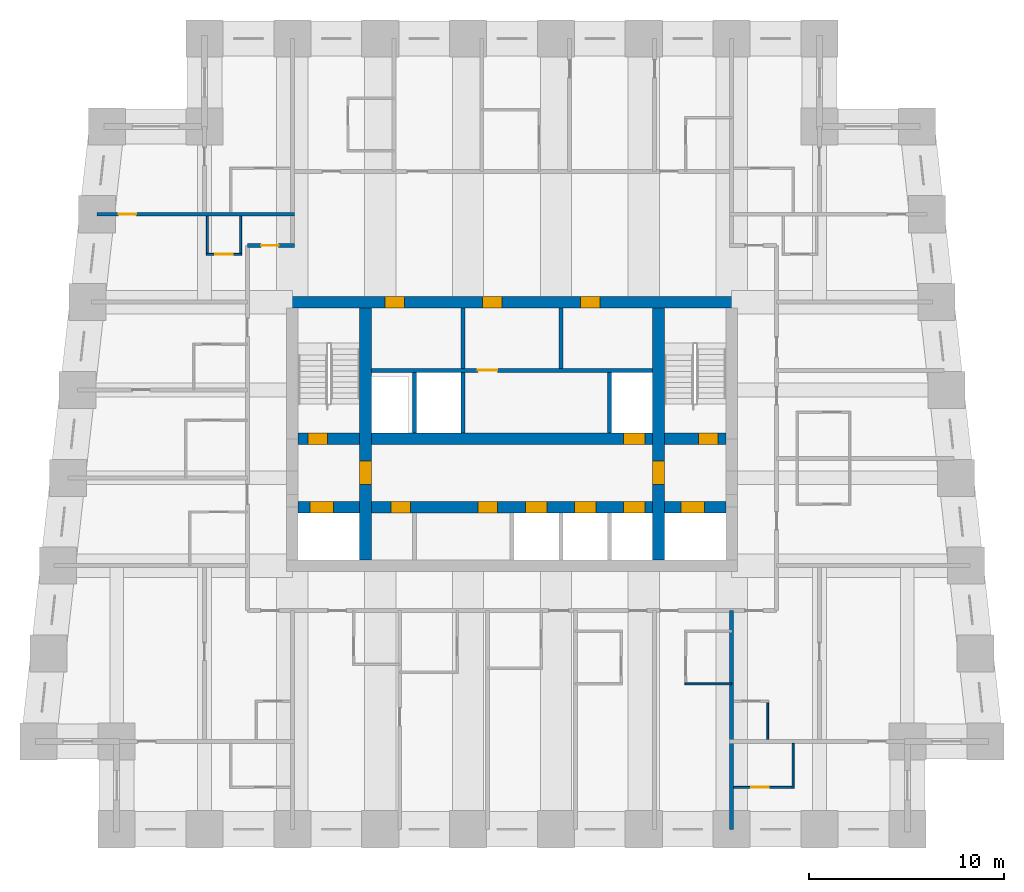
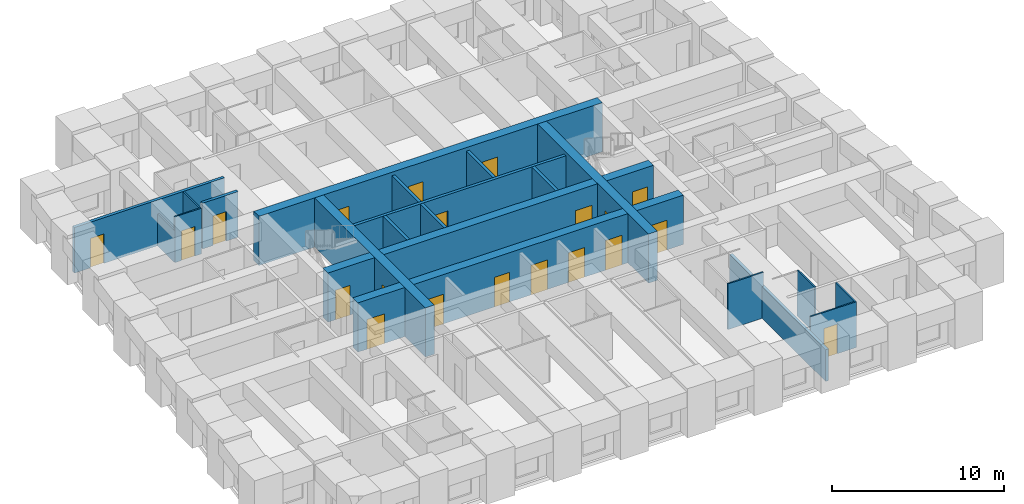
# One storey, part 4 of 8: 21 walls, 20 doors, 20 openings.
"""IFC4 building model written with IfcOpenShell, lengths in metres."""

from ifc_helpers import new_model, si_unit, direction, frame, frame_2d, origin, place, context, subcontext, project, spatial, rectangle, extrude, material, layer, layer_set, type_object, element, fill, save


model = new_model("IFC4")

# Units and contexts
model_context = context("Model", 3, precision=1e-05, world=origin(), true_north=direction((0.0, 1.0)))
body_context = subcontext(model_context, "Body", "Model", "MODEL_VIEW")
ifc_project = project(units=[si_unit("LENGTHUNIT", "METRE"), si_unit("AREAUNIT", "SQUARE_METRE"), si_unit("VOLUMEUNIT", "CUBIC_METRE"), si_unit("PLANEANGLEUNIT", "RADIAN"), si_unit("MASSUNIT", "GRAM", prefix="KILO")], contexts=[model_context])

# Site, building, storey
site_placement = place(None, origin())
site = spatial("IfcSite", under=ifc_project, at=site_placement, CompositionType="ELEMENT")
building_placement = place(site_placement, origin())
building = spatial("IfcBuilding", under=site, at=building_placement, Name="Kilele Tower Hotel", CompositionType="ELEMENT")
storey_placement = place(building_placement, frame((0.0, 0.0, 121.39990234375)))
storey = spatial("IfcBuildingStorey", under=building, at=storey_placement, Name="L31", CompositionType="ELEMENT", Elevation=121.39990234375)

# Walls
ifc_material_1 = material(Name="Moisture-resistant board")
ifc_layer_1 = layer(ifc_material_1, 0.10009765625)
ifc_layer_set_1 = layer_set([ifc_layer_1], Name="Moisture-resistant board")
wall_type_1 = type_object("IfcWallType", Name="Bathroom partition 100", PredefinedType="PLUMBINGWALL", material=ifc_layer_set_1)
wall_1_placement = place(storey_placement, frame((33.60009765625, 7.449951171875, 0.0), z_axis=(0.0, 0.0, 1.0), x_axis=(1.0, 0.0, 0.0)))
element("IfcWall", 1, at=wall_1_placement, inside=storey, type_object=wall_type_1, Name="Bathroom partition 100 L31", PredefinedType="PLUMBINGWALL", context=body_context, shape_type="SweptSolid", body=[
    extrude(rectangle(XDim=2.39990234375, YDim=0.10009765625, at=frame_2d((1.199951171875, 0.0))), origin(), (0.0, 0.0, 1.0), 3.25),
])
wall_2_placement = place(storey_placement, frame((37.85009765625, 4.60009765625, 0.0), z_axis=(0.0, 0.0, 1.0), x_axis=(0.0, 1.0, 0.0)))
element("IfcWall", 2, at=wall_2_placement, inside=storey, type_object=wall_type_1, Name="Bathroom partition 100 L31", PredefinedType="PLUMBINGWALL", context=body_context, shape_type="SweptSolid", body=[
    extrude(rectangle(XDim=2.0, YDim=0.10009765625, at=frame_2d((1.0, 0.0))), origin(), (0.0, 0.0, 1.0), 3.25),
])
wall_3_placement = place(storey_placement, frame((39.14990234375, 4.39990234375, 0.0), z_axis=(0.0, 0.0, 1.0), x_axis=(0.0, -1.0, 0.0)))
element("IfcWall", 3, at=wall_3_placement, inside=storey, type_object=wall_type_1, Name="Bathroom partition 100 L31", PredefinedType="PLUMBINGWALL", context=body_context, shape_type="SweptSolid", body=[
    extrude(rectangle(XDim=2.2998046875, YDim=0.10009765625, at=frame_2d((1.14990234375, 0.0))), origin(), (0.0, 0.0, 1.0), 3.25),
])

# Wall, opening, door
wall_4_placement = place(storey_placement, frame((36.10009765625, 2.14990234375, 0.0), z_axis=(0.0, 0.0, 1.0), x_axis=(1.0, 0.0, 0.0)))
wall_4 = element("IfcWall", 4, at=wall_4_placement, inside=storey, type_object=wall_type_1, Name="Bathroom partition 100 L31", PredefinedType="PLUMBINGWALL", context=body_context, shape_type="SweptSolid", body=[
    extrude(rectangle(XDim=3.099853515625, YDim=0.10009765625, at=frame_2d((1.5498046875, 0.0))), origin(), (0.0, 0.0, 1.0), 3.25),
])
opening_1_placement = place(wall_4_placement, frame((1.7998046875, 0.0, 0.0), z_axis=(0.0, 0.0, 1.0), x_axis=(-1.0, 0.0, 0.0)))
opening_1 = element("IfcOpeningElement", 5, at=opening_1_placement, cuts=wall_4, Name="Opening D2A", PredefinedType="OPENING", context=body_context, shape_type="SweptSolid", body=[
    extrude(rectangle(XDim=0.89990234375, YDim=2.10009765625, at=frame_2d((0.449951171875, 1.050048828125))), frame((0.0, 0.06005859375, 0.0), z_axis=(0.0, -1.0, 0.0), x_axis=(1.0, 0.0, 0.0)), (0.0, 0.0, 1.0), 0.1201171875),
])
ifc_material_2 = material(Name="Timber door leaf in hardwood frame", Category="wood")
door_type_1 = type_object("IfcDoorType", Name="Bathroom door 900", OperationType="SINGLE_SWING_LEFT", PredefinedType="DOOR", material=ifc_material_2)
door_1_placement = place(opening_1_placement, origin())
door_1 = element("IfcDoor", 6, at=door_1_placement, inside=storey, type_object=door_type_1, Name="Bathroom door 3122B", OperationType="SINGLE_SWING_RIGHT", OverallHeight=2.10009765625, OverallWidth=0.89990234375, PredefinedType="DOOR", context=body_context, shape_type="SweptSolid", body=[
    extrude(rectangle(XDim=0.89990234375, YDim=2.10009765625, at=frame_2d((0.449951171875, 1.050048828125))), frame((0.0, 0.02490234375, 0.0), z_axis=(0.0, -1.0, 0.0), x_axis=(1.0, 0.0, 0.0)), (0.0, 0.0, 1.0), 0.050048828125),
])
fill(opening_1, door_1)

# Walls
wall_5_placement = place(storey_placement, frame((9.14990234375, 31.39990234375, 0.0), z_axis=(0.0, 0.0, 1.0), x_axis=(0.0, -1.0, 0.0)))
element("IfcWall", 7, at=wall_5_placement, inside=storey, type_object=wall_type_1, Name="Bathroom partition 100 L31", PredefinedType="PLUMBINGWALL", context=body_context, shape_type="SweptSolid", body=[
    extrude(rectangle(XDim=2.0, YDim=0.10009765625, at=frame_2d((1.0, 0.0))), origin(), (0.0, 0.0, 1.0), 2.25),
])
wall_6_placement = place(storey_placement, frame((10.85009765625, 31.39990234375, 0.0), z_axis=(0.0, 0.0, 1.0), x_axis=(0.0, -1.0, 0.0)))
element("IfcWall", 8, at=wall_6_placement, inside=storey, type_object=wall_type_1, Name="Bathroom partition 100 L31", PredefinedType="PLUMBINGWALL", context=body_context, shape_type="SweptSolid", body=[
    extrude(rectangle(XDim=2.0, YDim=0.10009765625, at=frame_2d((1.0, 0.0))), origin(), (0.0, 0.0, 1.0), 3.25),
])

# Wall, opening, door
wall_7_placement = place(storey_placement, frame((10.89990234375, 29.449951171875, 0.0), z_axis=(0.0, 0.0, 1.0), x_axis=(-1.0, 0.0, 0.0)))
wall_7 = element("IfcWall", 9, at=wall_7_placement, inside=storey, type_object=wall_type_1, Name="Bathroom partition 100 L31", PredefinedType="PLUMBINGWALL", context=body_context, shape_type="SweptSolid", body=[
    extrude(rectangle(XDim=1.7998046875, YDim=0.10009765625, at=frame_2d((0.89990234375, 0.0))), origin(), (0.0, 0.0, 1.0), 3.25),
])
opening_2_placement = place(wall_7_placement, frame((0.449951171875, 0.0, 0.0)))
opening_2 = element("IfcOpeningElement", 10, at=opening_2_placement, cuts=wall_7, Name="Opening D2A", PredefinedType="OPENING", context=body_context, shape_type="SweptSolid", body=[
    extrude(rectangle(XDim=0.89990234375, YDim=2.10009765625, at=frame_2d((0.449951171875, 1.050048828125))), frame((0.0, 0.06005859375, 0.0), z_axis=(0.0, -1.0, 0.0), x_axis=(1.0, 0.0, 0.0)), (0.0, 0.0, 1.0), 0.1201171875),
])
door_2_placement = place(opening_2_placement, origin())
door_2 = element("IfcDoor", 11, at=door_2_placement, inside=storey, type_object=door_type_1, Name="Bathroom door 3126P", OperationType="SINGLE_SWING_LEFT", OverallHeight=2.10009765625, OverallWidth=0.89990234375, PredefinedType="DOOR", context=body_context, shape_type="SweptSolid", body=[
    extrude(rectangle(XDim=0.89990234375, YDim=2.10009765625, at=frame_2d((0.449951171875, 1.050048828125))), frame((0.0, 0.02490234375, 0.0), z_axis=(0.0, -1.0, 0.0), x_axis=(1.0, 0.0, 0.0)), (0.0, 0.0, 1.0), 0.050048828125),
])
fill(opening_2, door_2)

# Wall, openings, doors
ifc_material_3 = material(Name="Concrete C60/75", Category="concrete")
ifc_layer_2 = layer(ifc_material_3, 0.60009765625)
ifc_layer_set_2 = layer_set([ifc_layer_2], Name="Concrete C60/75")
wall_type_2 = type_object("IfcWallType", Name="Core wall 600 C60/75", PredefinedType="SHEAR", material=ifc_layer_set_2)
wall_8_placement = place(storey_placement, frame((36.300048828125, 27.0, 0.0), z_axis=(0.0, 0.0, 1.0), x_axis=(-1.0, 0.0, 0.0)))
wall_8 = element("IfcWall", 12, at=wall_8_placement, inside=storey, type_object=wall_type_2, Name="Core wall N L31", PredefinedType="SHEAR", context=body_context, shape_type="SweptSolid", body=[
    extrude(rectangle(XDim=23.10009765625, YDim=0.60009765625, at=frame_2d((11.550048828125, 0.0))), origin(), (0.0, 0.0, 1.0), 3.5),
])
opening_3_placement = place(wall_8_placement, frame((17.050048828125, 0.0, 0.0)))
opening_3 = element("IfcOpeningElement", 13, at=opening_3_placement, cuts=wall_8, Name="Opening D6", PredefinedType="OPENING", context=body_context, shape_type="SweptSolid", body=[
    extrude(rectangle(XDim=1.0, YDim=2.10009765625, at=frame_2d((0.5, 1.050048828125))), frame((0.0, 0.31005859375, 0.0), z_axis=(0.0, -1.0, 0.0), x_axis=(1.0, 0.0, 0.0)), (0.0, 0.0, 1.0), 0.6201171875),
])
opening_4_placement = place(wall_8_placement, frame((12.050048828125, 0.0, 0.0)))
opening_4 = element("IfcOpeningElement", 14, at=opening_4_placement, cuts=wall_8, Name="Opening D6", PredefinedType="OPENING", context=body_context, shape_type="SweptSolid", body=[
    extrude(rectangle(XDim=1.0, YDim=2.10009765625, at=frame_2d((0.5, 1.050048828125))), frame((0.0, 0.31005859375, 0.0), z_axis=(0.0, -1.0, 0.0), x_axis=(1.0, 0.0, 0.0)), (0.0, 0.0, 1.0), 0.6201171875),
])
opening_5_placement = place(wall_8_placement, frame((7.050048828125, 0.0, 0.0)))
opening_5 = element("IfcOpeningElement", 15, at=opening_5_placement, cuts=wall_8, Name="Opening D6", PredefinedType="OPENING", context=body_context, shape_type="SweptSolid", body=[
    extrude(rectangle(XDim=1.0, YDim=2.10009765625, at=frame_2d((0.5, 1.050048828125))), frame((0.0, 0.31005859375, 0.0), z_axis=(0.0, -1.0, 0.0), x_axis=(1.0, 0.0, 0.0)), (0.0, 0.0, 1.0), 0.6201171875),
])
ifc_material_4 = material(Name="Timber door leaf in hardwood frame", Category="wood")
door_type_2 = type_object("IfcDoorType", Name="Riser door 1000", OperationType="SINGLE_SWING_LEFT", PredefinedType="DOOR", material=ifc_material_4)
door_3_placement = place(opening_3_placement, origin())
door_3 = element("IfcDoor", 16, at=door_3_placement, inside=storey, type_object=door_type_2, Name="Service riser door L31", OperationType="SINGLE_SWING_RIGHT", OverallHeight=2.10009765625, OverallWidth=1.0, PredefinedType="DOOR", context=body_context, shape_type="SweptSolid", body=[
    extrude(rectangle(XDim=1.0, YDim=2.10009765625, at=frame_2d((0.5, 1.050048828125))), frame((0.0, 0.2998046875, 0.0), z_axis=(0.0, -1.0, 0.0), x_axis=(1.0, 0.0, 0.0)), (0.0, 0.0, 1.0), 0.599609375),
])
fill(opening_3, door_3)
door_4_placement = place(opening_4_placement, origin())
door_4 = element("IfcDoor", 17, at=door_4_placement, inside=storey, type_object=door_type_2, Name="Housekeeping store door L31", OperationType="SINGLE_SWING_RIGHT", OverallHeight=2.10009765625, OverallWidth=1.0, PredefinedType="DOOR", context=body_context, shape_type="SweptSolid", body=[
    extrude(rectangle(XDim=1.0, YDim=2.10009765625, at=frame_2d((0.5, 1.050048828125))), frame((0.0, 0.2998046875, 0.0), z_axis=(0.0, -1.0, 0.0), x_axis=(1.0, 0.0, 0.0)), (0.0, 0.0, 1.0), 0.599609375),
])
fill(opening_4, door_4)
door_5_placement = place(opening_5_placement, origin())
door_5 = element("IfcDoor", 18, at=door_5_placement, inside=storey, type_object=door_type_2, Name="Electrical riser door L31", OperationType="SINGLE_SWING_RIGHT", OverallHeight=2.10009765625, OverallWidth=1.0, PredefinedType="DOOR", context=body_context, shape_type="SweptSolid", body=[
    extrude(rectangle(XDim=1.0, YDim=2.10009765625, at=frame_2d((0.5, 1.050048828125))), frame((0.0, 0.2998046875, 0.0), z_axis=(0.0, -1.0, 0.0), x_axis=(1.0, 0.0, 0.0)), (0.0, 0.0, 1.0), 0.599609375),
])
fill(opening_5, door_5)

# Wall, opening, door
wall_9_placement = place(storey_placement, frame((17.25, 13.800048828125, 0.0), z_axis=(0.0, 0.0, 1.0), x_axis=(0.0, 1.0, 0.0)))
wall_9 = element("IfcWall", 19, at=wall_9_placement, inside=storey, type_object=wall_type_2, Name="Core wall IW L31", PredefinedType="SHEAR", context=body_context, shape_type="SweptSolid", body=[
    extrude(rectangle(XDim=12.89990234375, YDim=0.60009765625, at=frame_2d((6.449951171875, 0.0))), origin(), (0.0, 0.0, 1.0), 3.5),
])
opening_6_placement = place(wall_9_placement, frame((3.85009765625, 0.0, 0.0)))
opening_6 = element("IfcOpeningElement", 20, at=opening_6_placement, cuts=wall_9, Name="Opening D4", PredefinedType="OPENING", context=body_context, shape_type="SweptSolid", body=[
    extrude(rectangle(XDim=1.199951171875, YDim=2.10009765625, at=frame_2d((0.60009765625, 1.050048828125))), frame((0.0, 0.31005859375, 0.0), z_axis=(0.0, -1.0, 0.0), x_axis=(1.0, 0.0, 0.0)), (0.0, 0.0, 1.0), 0.6201171875),
])
ifc_material_5 = material(Name="Timber door leaf in hardwood frame", Category="wood")
door_type_3 = type_object("IfcDoorType", Name="Firefighting lobby door 1200", OperationType="SINGLE_SWING_LEFT", PredefinedType="DOOR", material=ifc_material_5)
door_6_placement = place(opening_6_placement, origin())
door_6 = element("IfcDoor", 21, at=door_6_placement, inside=storey, type_object=door_type_3, Name="Lobby door L31", OperationType="SINGLE_SWING_LEFT", OverallHeight=2.10009765625, OverallWidth=1.199951171875, PredefinedType="DOOR", context=body_context, shape_type="SweptSolid", body=[
    extrude(rectangle(XDim=1.199951171875, YDim=2.10009765625, at=frame_2d((0.60009765625, 1.050048828125))), frame((0.0, 0.2998046875, 0.0), z_axis=(0.0, -1.0, 0.0), x_axis=(1.0, 0.0, 0.0)), (0.0, 0.0, 1.0), 0.599609375),
])
fill(opening_6, door_6)

wall_10_placement = place(storey_placement, frame((32.25, 13.800048828125, 0.0), z_axis=(0.0, 0.0, 1.0), x_axis=(0.0, 1.0, 0.0)))
wall_10 = element("IfcWall", 22, at=wall_10_placement, inside=storey, type_object=wall_type_2, Name="Core wall IE L31", PredefinedType="SHEAR", context=body_context, shape_type="SweptSolid", body=[
    extrude(rectangle(XDim=12.89990234375, YDim=0.60009765625, at=frame_2d((6.449951171875, 0.0))), origin(), (0.0, 0.0, 1.0), 3.5),
])
opening_7_placement = place(wall_10_placement, frame((5.050048828125, 0.0, 0.0), z_axis=(0.0, 0.0, 1.0), x_axis=(-1.0, 0.0, 0.0)))
opening_7 = element("IfcOpeningElement", 23, at=opening_7_placement, cuts=wall_10, Name="Opening D4", PredefinedType="OPENING", context=body_context, shape_type="SweptSolid", body=[
    extrude(rectangle(XDim=1.199951171875, YDim=2.10009765625, at=frame_2d((0.60009765625, 1.050048828125))), frame((0.0, 0.31005859375, 0.0), z_axis=(0.0, -1.0, 0.0), x_axis=(1.0, 0.0, 0.0)), (0.0, 0.0, 1.0), 0.6201171875),
])
door_7_placement = place(opening_7_placement, origin())
door_7 = element("IfcDoor", 24, at=door_7_placement, inside=storey, type_object=door_type_3, Name="Lobby door L31", OperationType="SINGLE_SWING_RIGHT", OverallHeight=2.10009765625, OverallWidth=1.199951171875, PredefinedType="DOOR", context=body_context, shape_type="SweptSolid", body=[
    extrude(rectangle(XDim=1.199951171875, YDim=2.10009765625, at=frame_2d((0.60009765625, 1.050048828125))), frame((0.0, 0.2998046875, 0.0), z_axis=(0.0, -1.0, 0.0), x_axis=(1.0, 0.0, 0.0)), (0.0, 0.0, 1.0), 0.599609375),
])
fill(opening_7, door_7)

# Wall, openings, doors
wall_11_placement = place(storey_placement, frame((13.800048828125, 16.5, 0.0), z_axis=(0.0, 0.0, 1.0), x_axis=(1.0, 0.0, 0.0)))
wall_11 = element("IfcWall", 25, at=wall_11_placement, inside=storey, type_object=wall_type_2, Name="Core wall LS L31", PredefinedType="SHEAR", context=body_context, shape_type="SweptSolid", body=[
    extrude(rectangle(XDim=21.89990234375, YDim=0.60009765625, at=frame_2d((10.949951171875, 0.0))), origin(), (0.0, 0.0, 1.0), 3.5),
])
opening_8_placement = place(wall_11_placement, frame((11.64990234375, 0.0, 0.0)))
opening_8 = element("IfcOpeningElement", 26, at=opening_8_placement, cuts=wall_11, Name="Opening LD1", PredefinedType="OPENING", context=body_context, shape_type="SweptSolid", body=[
    extrude(rectangle(XDim=1.10009765625, YDim=2.10009765625, at=frame_2d((0.550048828125, 1.050048828125))), frame((0.0, 0.31005859375, 0.0), z_axis=(0.0, -1.0, 0.0), x_axis=(1.0, 0.0, 0.0)), (0.0, 0.0, 1.0), 0.6201171875),
])
opening_9_placement = place(wall_11_placement, frame((14.14990234375, 0.0, 0.0)))
opening_9 = element("IfcOpeningElement", 27, at=opening_9_placement, cuts=wall_11, Name="Opening LD1", PredefinedType="OPENING", context=body_context, shape_type="SweptSolid", body=[
    extrude(rectangle(XDim=1.10009765625, YDim=2.10009765625, at=frame_2d((0.550048828125, 1.050048828125))), frame((0.0, 0.31005859375, 0.0), z_axis=(0.0, -1.0, 0.0), x_axis=(1.0, 0.0, 0.0)), (0.0, 0.0, 1.0), 0.6201171875),
])
opening_10_placement = place(wall_11_placement, frame((16.64990234375, 0.0, 0.0)))
opening_10 = element("IfcOpeningElement", 28, at=opening_10_placement, cuts=wall_11, Name="Opening LD1", PredefinedType="OPENING", context=body_context, shape_type="SweptSolid", body=[
    extrude(rectangle(XDim=1.10009765625, YDim=2.10009765625, at=frame_2d((0.550048828125, 1.050048828125))), frame((0.0, 0.31005859375, 0.0), z_axis=(0.0, -1.0, 0.0), x_axis=(1.0, 0.0, 0.0)), (0.0, 0.0, 1.0), 0.6201171875),
])
opening_11_placement = place(wall_11_placement, frame((5.75, 0.0, 0.0), z_axis=(0.0, 0.0, 1.0), x_axis=(-1.0, 0.0, 0.0)))
opening_11 = element("IfcOpeningElement", 29, at=opening_11_placement, cuts=wall_11, Name="Opening D11", PredefinedType="OPENING", context=body_context, shape_type="SweptSolid", body=[
    extrude(rectangle(XDim=1.0, YDim=2.10009765625, at=frame_2d((0.5, 1.050048828125))), frame((0.0, 0.31005859375, 0.0), z_axis=(0.0, -1.0, 0.0), x_axis=(1.0, 0.0, 0.0)), (0.0, 0.0, 1.0), 0.6201171875),
])
opening_12_placement = place(wall_11_placement, frame((10.199951171875, 0.0, 0.0), z_axis=(0.0, 0.0, 1.0), x_axis=(-1.0, 0.0, 0.0)))
opening_12 = element("IfcOpeningElement", 30, at=opening_12_placement, cuts=wall_11, Name="Opening D11", PredefinedType="OPENING", context=body_context, shape_type="SweptSolid", body=[
    extrude(rectangle(XDim=1.0, YDim=2.10009765625, at=frame_2d((0.5, 1.050048828125))), frame((0.0, 0.31005859375, 0.0), z_axis=(0.0, -1.0, 0.0), x_axis=(1.0, 0.0, 0.0)), (0.0, 0.0, 1.0), 0.6201171875),
])
opening_13_placement = place(wall_11_placement, frame((0.60009765625, 0.0, 0.0)))
opening_13 = element("IfcOpeningElement", 31, at=opening_13_placement, cuts=wall_11, Name="Opening LD2", PredefinedType="OPENING", context=body_context, shape_type="SweptSolid", body=[
    extrude(rectangle(XDim=1.199951171875, YDim=2.10009765625, at=frame_2d((0.60009765625, 1.050048828125))), frame((0.0, 0.31005859375, 0.0), z_axis=(0.0, -1.0, 0.0), x_axis=(1.0, 0.0, 0.0)), (0.0, 0.0, 1.0), 0.6201171875),
])
opening_14_placement = place(wall_11_placement, frame((19.60009765625, 0.0, 0.0)))
opening_14 = element("IfcOpeningElement", 32, at=opening_14_placement, cuts=wall_11, Name="Opening LD2", PredefinedType="OPENING", context=body_context, shape_type="SweptSolid", body=[
    extrude(rectangle(XDim=1.199951171875, YDim=2.10009765625, at=frame_2d((0.60009765625, 1.050048828125))), frame((0.0, 0.31005859375, 0.0), z_axis=(0.0, -1.0, 0.0), x_axis=(1.0, 0.0, 0.0)), (0.0, 0.0, 1.0), 0.6201171875),
])
ifc_material_6 = material(Name="Timber door leaf in hardwood frame", Category="wood")
door_type_4 = type_object("IfcDoorType", Name="Core store door 1000", OperationType="SINGLE_SWING_LEFT", PredefinedType="DOOR", material=ifc_material_6)
door_8_placement = place(opening_11_placement, origin())
door_8 = element("IfcDoor", 33, at=door_8_placement, inside=storey, type_object=door_type_4, Name="Core room door L1 L31", OperationType="SINGLE_SWING_LEFT", OverallHeight=2.10009765625, OverallWidth=1.0, PredefinedType="DOOR", context=body_context, shape_type="SweptSolid", body=[
    extrude(rectangle(XDim=1.0, YDim=2.10009765625, at=frame_2d((0.5, 1.050048828125))), frame((0.0, 0.2998046875, 0.0), z_axis=(0.0, -1.0, 0.0), x_axis=(1.0, 0.0, 0.0)), (0.0, 0.0, 1.0), 0.599609375),
])
fill(opening_11, door_8)
door_9_placement = place(opening_12_placement, origin())
door_9 = element("IfcDoor", 34, at=door_9_placement, inside=storey, type_object=door_type_4, Name="Core room door L3 L31", OperationType="SINGLE_SWING_LEFT", OverallHeight=2.10009765625, OverallWidth=1.0, PredefinedType="DOOR", context=body_context, shape_type="SweptSolid", body=[
    extrude(rectangle(XDim=1.0, YDim=2.10009765625, at=frame_2d((0.5, 1.050048828125))), frame((0.0, 0.2998046875, 0.0), z_axis=(0.0, -1.0, 0.0), x_axis=(1.0, 0.0, 0.0)), (0.0, 0.0, 1.0), 0.599609375),
])
fill(opening_12, door_9)
ifc_material_7 = material(Name="Steel lift landing door", Category="steel")
door_type_5 = type_object("IfcDoorType", Name="Firefighting lift landing door 1200", OperationType="SLIDING_TO_LEFT", PredefinedType="DOOR", material=ifc_material_7)
door_10_placement = place(opening_13_placement, origin())
door_10 = element("IfcDoor", 35, at=door_10_placement, inside=storey, type_object=door_type_5, Name="Landing door FFW L31", OperationType="SLIDING_TO_LEFT", OverallHeight=2.10009765625, OverallWidth=1.199951171875, PredefinedType="DOOR", context=body_context, shape_type="SweptSolid", body=[
    extrude(rectangle(XDim=1.199951171875, YDim=2.10009765625, at=frame_2d((0.60009765625, 1.050048828125))), frame((0.0, 0.2998046875, 0.0), z_axis=(0.0, -1.0, 0.0), x_axis=(1.0, 0.0, 0.0)), (0.0, 0.0, 1.0), 0.599609375),
])
fill(opening_13, door_10)
door_11_placement = place(opening_14_placement, origin())
door_11 = element("IfcDoor", 36, at=door_11_placement, inside=storey, type_object=door_type_5, Name="Landing door FFE L31", OperationType="SLIDING_TO_LEFT", OverallHeight=2.10009765625, OverallWidth=1.199951171875, PredefinedType="DOOR", context=body_context, shape_type="SweptSolid", body=[
    extrude(rectangle(XDim=1.199951171875, YDim=2.10009765625, at=frame_2d((0.60009765625, 1.050048828125))), frame((0.0, 0.2998046875, 0.0), z_axis=(0.0, -1.0, 0.0), x_axis=(1.0, 0.0, 0.0)), (0.0, 0.0, 1.0), 0.599609375),
])
fill(opening_14, door_11)
ifc_material_8 = material(Name="Steel lift landing door", Category="steel")
door_type_6 = type_object("IfcDoorType", Name="Lift landing door 1100", OperationType="SLIDING_TO_LEFT", PredefinedType="DOOR", material=ifc_material_8)
door_12_placement = place(opening_8_placement, origin())
door_12 = element("IfcDoor", 37, at=door_12_placement, inside=storey, type_object=door_type_6, Name="Landing door M1 L31", OperationType="SLIDING_TO_LEFT", OverallHeight=2.10009765625, OverallWidth=1.10009765625, PredefinedType="DOOR", context=body_context, shape_type="SweptSolid", body=[
    extrude(rectangle(XDim=1.10009765625, YDim=2.10009765625, at=frame_2d((0.550048828125, 1.050048828125))), frame((0.0, 0.2998046875, 0.0), z_axis=(0.0, -1.0, 0.0), x_axis=(1.0, 0.0, 0.0)), (0.0, 0.0, 1.0), 0.599609375),
])
fill(opening_8, door_12)
door_13_placement = place(opening_9_placement, origin())
door_13 = element("IfcDoor", 38, at=door_13_placement, inside=storey, type_object=door_type_6, Name="Landing door M2 L31", OperationType="SLIDING_TO_LEFT", OverallHeight=2.10009765625, OverallWidth=1.10009765625, PredefinedType="DOOR", context=body_context, shape_type="SweptSolid", body=[
    extrude(rectangle(XDim=1.10009765625, YDim=2.10009765625, at=frame_2d((0.550048828125, 1.050048828125))), frame((0.0, 0.2998046875, 0.0), z_axis=(0.0, -1.0, 0.0), x_axis=(1.0, 0.0, 0.0)), (0.0, 0.0, 1.0), 0.599609375),
])
fill(opening_9, door_13)
door_14_placement = place(opening_10_placement, origin())
door_14 = element("IfcDoor", 39, at=door_14_placement, inside=storey, type_object=door_type_6, Name="Landing door M3 L31", OperationType="SLIDING_TO_LEFT", OverallHeight=2.10009765625, OverallWidth=1.10009765625, PredefinedType="DOOR", context=body_context, shape_type="SweptSolid", body=[
    extrude(rectangle(XDim=1.10009765625, YDim=2.10009765625, at=frame_2d((0.550048828125, 1.050048828125))), frame((0.0, 0.2998046875, 0.0), z_axis=(0.0, -1.0, 0.0), x_axis=(1.0, 0.0, 0.0)), (0.0, 0.0, 1.0), 0.599609375),
])
fill(opening_10, door_14)

wall_12_placement = place(storey_placement, frame((13.800048828125, 20.0, 0.0), z_axis=(0.0, 0.0, 1.0), x_axis=(1.0, 0.0, 0.0)))
wall_12 = element("IfcWall", 40, at=wall_12_placement, inside=storey, type_object=wall_type_2, Name="Core wall LN L31", PredefinedType="SHEAR", context=body_context, shape_type="SweptSolid", body=[
    extrude(rectangle(XDim=21.89990234375, YDim=0.60009765625, at=frame_2d((10.949951171875, 0.0))), origin(), (0.0, 0.0, 1.0), 3.5),
])
opening_15_placement = place(wall_12_placement, frame((0.5, 0.0, 0.0)))
opening_15 = element("IfcOpeningElement", 41, at=opening_15_placement, cuts=wall_12, Name="Opening D5", PredefinedType="OPENING", context=body_context, shape_type="SweptSolid", body=[
    extrude(rectangle(XDim=1.0, YDim=2.10009765625, at=frame_2d((0.5, 1.050048828125))), frame((0.0, 0.31005859375, 0.0), z_axis=(0.0, -1.0, 0.0), x_axis=(1.0, 0.0, 0.0)), (0.0, 0.0, 1.0), 0.6201171875),
])
opening_16_placement = place(wall_12_placement, frame((20.5, 0.0, 0.0)))
opening_16 = element("IfcOpeningElement", 42, at=opening_16_placement, cuts=wall_12, Name="Opening D5", PredefinedType="OPENING", context=body_context, shape_type="SweptSolid", body=[
    extrude(rectangle(XDim=1.0, YDim=2.10009765625, at=frame_2d((0.5, 1.050048828125))), frame((0.0, 0.31005859375, 0.0), z_axis=(0.0, -1.0, 0.0), x_axis=(1.0, 0.0, 0.0)), (0.0, 0.0, 1.0), 0.6201171875),
])
opening_17_placement = place(wall_12_placement, frame((16.64990234375, 0.0, 0.0)))
opening_17 = element("IfcOpeningElement", 43, at=opening_17_placement, cuts=wall_12, Name="Opening LD1", PredefinedType="OPENING", context=body_context, shape_type="SweptSolid", body=[
    extrude(rectangle(XDim=1.10009765625, YDim=2.10009765625, at=frame_2d((0.550048828125, 1.050048828125))), frame((0.0, 0.31005859375, 0.0), z_axis=(0.0, -1.0, 0.0), x_axis=(1.0, 0.0, 0.0)), (0.0, 0.0, 1.0), 0.6201171875),
])
door_15_placement = place(opening_17_placement, origin())
door_15 = element("IfcDoor", 44, at=door_15_placement, inside=storey, type_object=door_type_6, Name="Landing door G1 L31", OperationType="SLIDING_TO_LEFT", OverallHeight=2.10009765625, OverallWidth=1.10009765625, PredefinedType="DOOR", context=body_context, shape_type="SweptSolid", body=[
    extrude(rectangle(XDim=1.10009765625, YDim=2.10009765625, at=frame_2d((0.550048828125, 1.050048828125))), frame((0.0, 0.2998046875, 0.0), z_axis=(0.0, -1.0, 0.0), x_axis=(1.0, 0.0, 0.0)), (0.0, 0.0, 1.0), 0.599609375),
])
fill(opening_17, door_15)
ifc_material_9 = material(Name="Timber door leaf in hardwood frame", Category="wood")
door_type_7 = type_object("IfcDoorType", Name="Stair door 1000", OperationType="SINGLE_SWING_LEFT", PredefinedType="DOOR", material=ifc_material_9)
door_16_placement = place(opening_15_placement, origin())
door_16 = element("IfcDoor", 45, at=door_16_placement, inside=storey, type_object=door_type_7, Name="Stair 1 door L31", OperationType="SINGLE_SWING_LEFT", OverallHeight=2.10009765625, OverallWidth=1.0, PredefinedType="DOOR", context=body_context, shape_type="SweptSolid", body=[
    extrude(rectangle(XDim=1.0, YDim=2.10009765625, at=frame_2d((0.5, 1.050048828125))), frame((0.0, 0.2998046875, 0.0), z_axis=(0.0, -1.0, 0.0), x_axis=(1.0, 0.0, 0.0)), (0.0, 0.0, 1.0), 0.599609375),
])
fill(opening_15, door_16)
door_17_placement = place(opening_16_placement, origin())
door_17 = element("IfcDoor", 46, at=door_17_placement, inside=storey, type_object=door_type_7, Name="Stair 2 door L31", OperationType="SINGLE_SWING_RIGHT", OverallHeight=2.10009765625, OverallWidth=1.0, PredefinedType="DOOR", context=body_context, shape_type="SweptSolid", body=[
    extrude(rectangle(XDim=1.0, YDim=2.10009765625, at=frame_2d((0.5, 1.050048828125))), frame((0.0, 0.2998046875, 0.0), z_axis=(0.0, -1.0, 0.0), x_axis=(1.0, 0.0, 0.0)), (0.0, 0.0, 1.0), 0.599609375),
])
fill(opening_16, door_17)

# Wall, opening, door
ifc_material_10 = material(Name="Blockwork, plastered both sides", Category="masonry")
ifc_layer_3 = layer(ifc_material_10, 0.199951171875)
ifc_layer_set_3 = layer_set([ifc_layer_3], Name="Blockwork, plastered both sides")
wall_type_3 = type_object("IfcWallType", Name="Corridor wall 200", PredefinedType="PARTITIONING", material=ifc_layer_set_3)
wall_13_placement = place(storey_placement, frame((11.199951171875, 29.89990234375, 0.0), z_axis=(0.0, 0.0, 1.0), x_axis=(1.0, 0.0, 0.0)))
wall_13 = element("IfcWall", 47, at=wall_13_placement, inside=storey, type_object=wall_type_3, Name="Corridor wall 200 L31", PredefinedType="PARTITIONING", context=body_context, shape_type="SweptSolid", body=[
    extrude(rectangle(XDim=2.400146484375, YDim=0.199951171875, at=frame_2d((1.2001953125, 0.0))), origin(), (0.0, 0.0, 1.0), 3.25),
])
opening_18_placement = place(wall_13_placement, frame((0.699951171875, 0.0, 0.0)))
opening_18 = element("IfcOpeningElement", 48, at=opening_18_placement, cuts=wall_13, Name="Opening D1", PredefinedType="OPENING", context=body_context, shape_type="SweptSolid", body=[
    extrude(rectangle(XDim=0.89990234375, YDim=2.10009765625, at=frame_2d((0.449951171875, 1.050048828125))), frame((0.0, 0.10986328125, 0.0), z_axis=(0.0, -1.0, 0.0), x_axis=(1.0, 0.0, 0.0)), (0.0, 0.0, 1.0), 0.219970703125),
])
ifc_material_11 = material(Name="Timber door leaf in hardwood frame", Category="wood")
door_type_8 = type_object("IfcDoorType", Name="Guest room entrance door 900", OperationType="SINGLE_SWING_LEFT", PredefinedType="DOOR", material=ifc_material_11)
door_18_placement = place(opening_18_placement, origin())
door_18 = element("IfcDoor", 49, at=door_18_placement, inside=storey, type_object=door_type_8, Name="Room entrance 3126", OperationType="SINGLE_SWING_RIGHT", OverallHeight=2.10009765625, OverallWidth=0.89990234375, PredefinedType="DOOR", context=body_context, shape_type="SweptSolid", body=[
    extrude(rectangle(XDim=0.89990234375, YDim=2.10009765625, at=frame_2d((0.449951171875, 1.050048828125))), frame((0.0, 0.02490234375, 0.0), z_axis=(0.0, -1.0, 0.0), x_axis=(1.0, 0.0, 0.0)), (0.0, 0.0, 1.0), 0.050048828125),
])
fill(opening_18, door_18)

# Wall
ifc_material_12 = material(Name="Blockwork, plastered both sides", Category="masonry")
ifc_layer_4 = layer(ifc_material_12, 0.199951171875)
ifc_layer_set_4 = layer_set([ifc_layer_4], Name="Blockwork, plastered both sides")
wall_type_4 = type_object("IfcWallType", Name="Party wall 200", PredefinedType="PARTITIONING", material=ifc_layer_set_4)
wall_14_placement = place(storey_placement, frame((36.0, 11.199951171875, 0.0), z_axis=(0.0, 0.0, 1.0), x_axis=(0.0, -1.0, 0.0)))
element("IfcWall", 50, at=wall_14_placement, inside=storey, type_object=wall_type_4, Name="Party wall 200 L31", PredefinedType="PARTITIONING", context=body_context, shape_type="SweptSolid", body=[
    extrude(rectangle(XDim=11.199951171875, YDim=0.199951171875, at=frame_2d((5.60009765625, 0.0))), origin(), (0.0, 0.0, 1.0), 2.25),
])

# Wall, opening, door
wall_15_placement = place(storey_placement, frame((13.60009765625, 31.5, 0.0), z_axis=(0.0, 0.0, 1.0), x_axis=(-1.0, 0.0, 0.0)))
wall_15 = element("IfcWall", 51, at=wall_15_placement, inside=storey, type_object=wall_type_4, Name="Party wall 200 L31", PredefinedType="PARTITIONING", context=body_context, shape_type="SweptSolid", body=[
    extrude(rectangle(XDim=10.09912109375, YDim=0.199951171875, at=frame_2d((5.049560546875, 0.0))), origin(), (0.0, 0.0, 1.0), 3.25),
])
opening_19_placement = place(wall_15_placement, frame((8.9990234375, 0.0, 0.0), z_axis=(0.0, 0.0, 1.0), x_axis=(-1.0, 0.0, 0.0)))
opening_19 = element("IfcOpeningElement", 52, at=opening_19_placement, cuts=wall_15, Name="Opening D3", PredefinedType="OPENING", context=body_context, shape_type="SweptSolid", body=[
    extrude(rectangle(XDim=0.89990234375, YDim=2.10009765625, at=frame_2d((0.449951171875, 1.050048828125))), frame((0.0, 0.10986328125, 0.0), z_axis=(0.0, -1.0, 0.0), x_axis=(1.0, 0.0, 0.0)), (0.0, 0.0, 1.0), 0.219970703125),
])
ifc_material_13 = material(Name="Timber door leaf in hardwood frame", Category="wood")
door_type_9 = type_object("IfcDoorType", Name="Suite internal door 900", OperationType="SINGLE_SWING_LEFT", PredefinedType="DOOR", material=ifc_material_13)
door_19_placement = place(opening_19_placement, origin())
door_19 = element("IfcDoor", 53, at=door_19_placement, inside=storey, type_object=door_type_9, Name="Suite door 3127", OperationType="SINGLE_SWING_LEFT", OverallHeight=2.10009765625, OverallWidth=0.89990234375, PredefinedType="DOOR", context=body_context, shape_type="SweptSolid", body=[
    extrude(rectangle(XDim=0.89990234375, YDim=2.10009765625, at=frame_2d((0.449951171875, 1.050048828125))), frame((0.0, 0.02490234375, 0.0), z_axis=(0.0, -1.0, 0.0), x_axis=(1.0, 0.0, 0.0)), (0.0, 0.0, 1.0), 0.050048828125),
])
fill(opening_19, door_19)

# Walls
ifc_material_14 = material(Name="Blockwork, fire-rated", Category="masonry")
ifc_layer_5 = layer(ifc_material_14, 0.199951171875)
ifc_layer_set_5 = layer_set([ifc_layer_5], Name="Blockwork, fire-rated")
wall_type_5 = type_object("IfcWallType", Name="Shaft wall 200", PredefinedType="PARTITIONING", material=ifc_layer_set_5)
for number, where, z_axis, x_axis, name in (
    (54, (19.75, 20.300048828125, 0.0), (0.0, 0.0, 1.0), (0.0, 1.0, 0.0), "Shaft wall 200 L31"),
    (55, (22.25, 20.300048828125, 0.0), (0.0, 0.0, 1.0), (0.0, 1.0, 0.0), "Shaft wall 200 L31"),
    (56, (29.75, 20.300048828125, 0.0), (0.0, 0.0, 1.0), (0.0, 1.0, 0.0), "Shaft wall 200 L31"),
):
    element("IfcWall", number, at=place(storey_placement, frame(where, z_axis=z_axis, x_axis=x_axis)), inside=storey, type_object=wall_type_5, Name=name, PredefinedType="PARTITIONING", context=body_context, shape_type="SweptSolid", body=[
        extrude(rectangle(XDim=3.099853515625, YDim=0.199951171875, at=frame_2d((1.5498046875, 0.0))), origin(), (0.0, 0.0, 1.0), 3.25),
    ])

# Wall, opening, door
wall_16_placement = place(storey_placement, frame((17.550048828125, 23.5, 0.0), z_axis=(0.0, 0.0, 1.0), x_axis=(1.0, 0.0, 0.0)))
wall_16 = element("IfcWall", 57, at=wall_16_placement, inside=storey, type_object=wall_type_5, Name="Shaft wall 200 L31", PredefinedType="PARTITIONING", context=body_context, shape_type="SweptSolid", body=[
    extrude(rectangle(XDim=14.39990234375, YDim=0.199951171875, at=frame_2d((7.199951171875, 0.0))), origin(), (0.0, 0.0, 1.0), 3.25),
])
opening_20_placement = place(wall_16_placement, frame((5.449951171875, 0.0, 0.0)))
opening_20 = element("IfcOpeningElement", 58, at=opening_20_placement, cuts=wall_16, Name="Opening D11", PredefinedType="OPENING", context=body_context, shape_type="SweptSolid", body=[
    extrude(rectangle(XDim=1.0, YDim=2.10009765625, at=frame_2d((0.5, 1.050048828125))), frame((0.0, 0.10986328125, 0.0), z_axis=(0.0, -1.0, 0.0), x_axis=(1.0, 0.0, 0.0)), (0.0, 0.0, 1.0), 0.219970703125),
])
door_20_placement = place(opening_20_placement, origin())
door_20 = element("IfcDoor", 59, at=door_20_placement, inside=storey, type_object=door_type_4, Name="Core room door H1", OperationType="SINGLE_SWING_LEFT", OverallHeight=2.10009765625, OverallWidth=1.0, PredefinedType="DOOR", context=body_context, shape_type="SweptSolid", body=[
    extrude(rectangle(XDim=1.0, YDim=2.10009765625, at=frame_2d((0.5, 1.050048828125))), frame((0.0, 0.02490234375, 0.0), z_axis=(0.0, -1.0, 0.0), x_axis=(1.0, 0.0, 0.0)), (0.0, 0.0, 1.0), 0.050048828125),
])
fill(opening_20, door_20)

# Walls
for number, where, z_axis, x_axis, name in (
    (60, (22.25, 23.60009765625, 0.0), (0.0, 0.0, 1.0), (0.0, 1.0, 0.0), "Shaft wall 200 L31"),
    (61, (27.25, 23.60009765625, 0.0), (0.0, 0.0, 1.0), (0.0, 1.0, 0.0), "Shaft wall 200 L31"),
):
    element("IfcWall", number, at=place(storey_placement, frame(where, z_axis=z_axis, x_axis=x_axis)), inside=storey, type_object=wall_type_5, Name=name, PredefinedType="PARTITIONING", context=body_context, shape_type="SweptSolid", body=[
        extrude(rectangle(XDim=3.099853515625, YDim=0.199951171875, at=frame_2d((1.5498046875, 0.0))), origin(), (0.0, 0.0, 1.0), 3.25),
    ])

save(model, "model.ifc")
